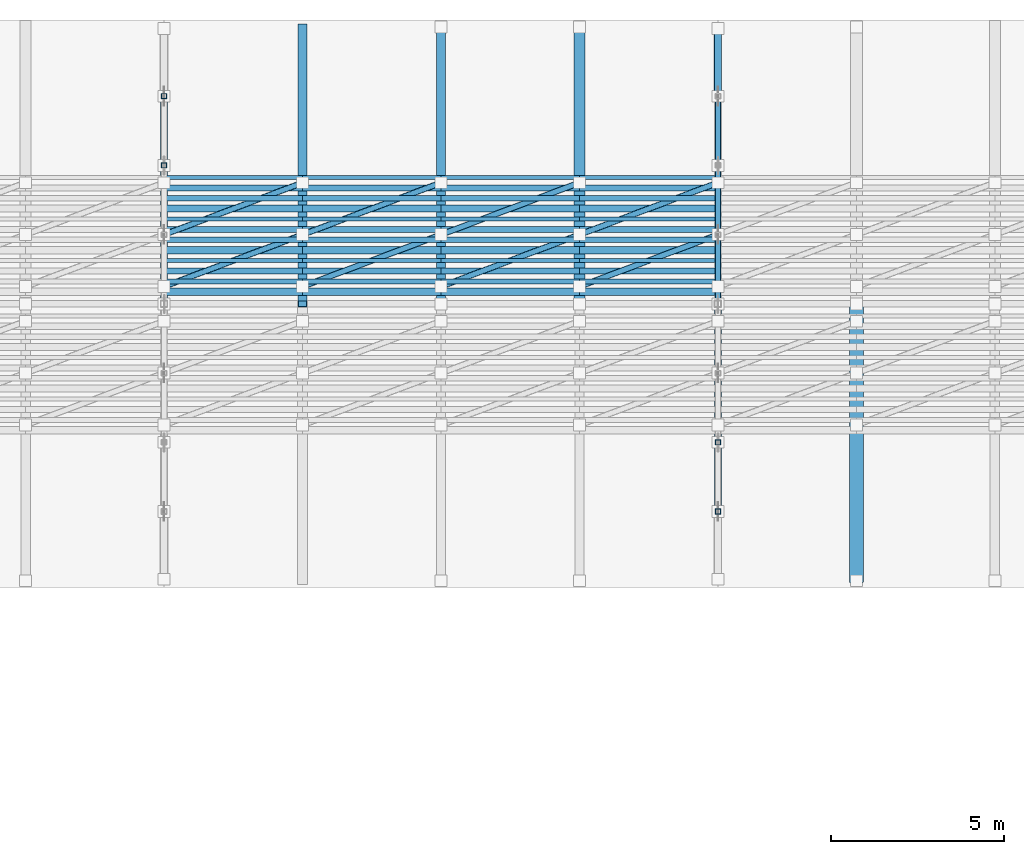
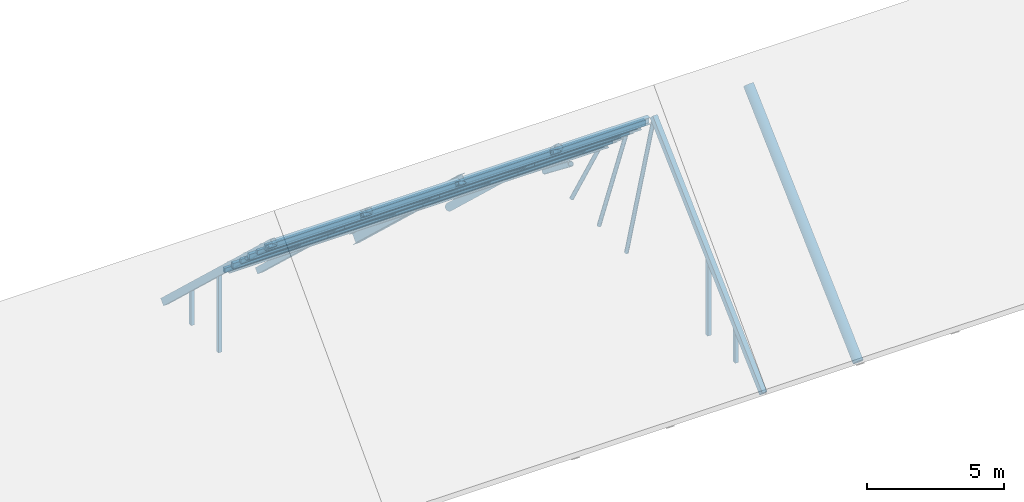
# One storey, part 11 of 18: 70 members.
"""IFC4 building model written with IfcOpenShell, lengths in metres."""

from ifc_helpers import new_model, si_unit, direction, frame, origin, origin_2d, place, context, subcontext, project, spatial, hollow_rectangle, hollow_circle, i_section, extrude, material, material_profile, profile_set, type_object, element, save


model = new_model("IFC4")

# Units and contexts
model_context = context("Model", 3, precision=1e-05, world=origin(), true_north=direction((0.0, 1.0)))
body_context = subcontext(model_context, "Body", "Model", "MODEL_VIEW")
ifc_project = project(units=[si_unit("LENGTHUNIT", "METRE"), si_unit("AREAUNIT", "SQUARE_METRE"), si_unit("VOLUMEUNIT", "CUBIC_METRE"), si_unit("PLANEANGLEUNIT", "RADIAN"), si_unit("MASSUNIT", "GRAM", prefix="KILO")], contexts=[model_context])

# Site, building, storey
site_placement = place(None, origin())
site = spatial("IfcSite", under=ifc_project, at=site_placement, CompositionType="ELEMENT")
building_placement = place(site_placement, origin())
building = spatial("IfcBuilding", under=site, at=building_placement, Name="Serraluz Foothill Cableway Terminal", CompositionType="ELEMENT")
storey_placement = place(building_placement, frame((0.0, 0.0, 24.300048828125)))
storey = spatial("IfcBuildingStorey", under=building, at=storey_placement, Name="RF", CompositionType="ELEMENT", Elevation=24.300048828125)

# Members
ifc_material_1 = material(Name="Steel ASTM A572 Grade 50", Category="steel")
ifc_material_profile_1 = material_profile(ifc_material_1, hollow_circle(Radius=0.084228515625, WallThickness=0.010009765625, at=origin_2d()), Name="CHS168X10")
ifc_profile_set_1 = profile_set([ifc_material_profile_1], Name="Steel ASTM A572 Grade 50")
member_type_1 = type_object("IfcMemberType", Name="TYP-BR-CHS168", PredefinedType="BRACE", material=ifc_profile_set_1)
member_1_placement = place(storey_placement, frame((136.0, 64.01611328125, 2.51220703125), z_axis=(0.0, 0.26797823219, -0.963424967017), x_axis=(-1.0, 0.0, 0.0)))
element("IfcMember", 1, at=member_1_placement, inside=storey, type_object=member_type_1, Name="ROOF TRUSS TR-07 Diagonal 5", PredefinedType="BRACE", context=body_context, shape_type="SweptSolid", body=[
    extrude(hollow_circle(Radius=0.084228515625, WallThickness=0.010009765625, at=origin_2d()), origin(), (0.0, 0.0, 1.0), 7.343017578125),
])
member_2_placement = place(storey_placement, frame((136.0, 66.02099609375, 0.638671875), z_axis=(0.0, 0.352230195063, -0.935913398604), x_axis=(-1.0, 0.0, 0.0)))
element("IfcMember", 2, at=member_2_placement, inside=storey, type_object=member_type_1, Name="ROOF TRUSS TR-07 Diagonal 6", PredefinedType="BRACE", context=body_context, shape_type="SweptSolid", body=[
    extrude(hollow_circle(Radius=0.084228515625, WallThickness=0.010009765625, at=origin_2d()), origin(), (0.0, 0.0, 1.0), 5.558837890625),
])
member_3_placement = place(storey_placement, frame((136.0, 68.0302734375, -1.23193359375), z_axis=(0.0, 0.502584169831, -0.864528283074), x_axis=(-1.0, 0.0, 0.0)))
element("IfcMember", 3, at=member_3_placement, inside=storey, type_object=member_type_1, Name="ROOF TRUSS TR-07 Diagonal 7", PredefinedType="BRACE", context=body_context, shape_type="SweptSolid", body=[
    extrude(hollow_circle(Radius=0.084228515625, WallThickness=0.010009765625, at=origin_2d()), origin(), (0.0, 0.0, 1.0), 3.85888671875),
])
for number, where, z_axis, x_axis, name in (
    (4, (120.0, 64.5, 2.171142578125), (0.889382269185, 0.333518350944, -0.31267345401), (-0.351123441588, 0.936329177569, 0.0), "Roof Lateral Wind Brace 0587"),
    (5, (120.0, 66.0, 0.764892578125), (0.889382269185, 0.333518350944, -0.31267345401), (-0.351123441588, 0.936329177569, 0.0), "Roof Lateral Wind Brace 0588"),
    (6, (124.0, 64.5, 2.171142578125), (0.889382269185, 0.333518350944, -0.31267345401), (-0.351123441588, 0.936329177569, 0.0), "Roof Lateral Wind Brace 0615"),
    (7, (124.0, 66.0, 0.764892578125), (0.889382269185, 0.333518350944, -0.31267345401), (-0.351123441588, 0.936329177569, 0.0), "Roof Lateral Wind Brace 0616"),
    (8, (128.0, 64.5, 2.171142578125), (0.889382269185, 0.333518350944, -0.31267345401), (-0.351123441588, 0.936329177569, 0.0), "Roof Lateral Wind Brace 0643"),
    (9, (128.0, 66.0, 0.764892578125), (0.889382269185, 0.333518350944, -0.31267345401), (-0.351123441588, 0.936329177569, 0.0), "Roof Lateral Wind Brace 0644"),
    (10, (132.0, 64.5, 2.171142578125), (0.889382269185, 0.333518350944, -0.31267345401), (-0.351123441588, 0.936329177569, 0.0), "Roof Lateral Wind Brace 0671"),
    (11, (132.0, 66.0, 0.764892578125), (0.889382269185, 0.333518350944, -0.31267345401), (-0.351123441588, 0.936329177569, 0.0), "Roof Lateral Wind Brace 0672"),
):
    element("IfcMember", number, at=place(storey_placement, frame(where, z_axis=z_axis, x_axis=x_axis)), inside=storey, type_object=member_type_1, Name=name, PredefinedType="BRACE", context=body_context, shape_type="SweptSolid", body=[
        extrude(hollow_circle(Radius=0.084228515625, WallThickness=0.010009765625, at=origin_2d()), origin(), (0.0, 0.0, 1.0), 4.49755859375),
    ])
ifc_material_profile_2 = material_profile(ifc_material_1, hollow_circle(Radius=0.109619140625, WallThickness=0.011962890625, at=origin_2d()), Name="CHS219X12")
ifc_profile_set_2 = profile_set([ifc_material_profile_2], Name="Steel ASTM A572 Grade 50")
member_type_2 = type_object("IfcMemberType", Name="TYP-BR-CHS219", PredefinedType="BRACE", material=ifc_profile_set_2)
member_4_placement = place(storey_placement, frame((136.0, 70.04736328125, -3.092041015625), z_axis=(0.0, 0.787528424659, -0.616278330265), x_axis=(-1.0, 0.0, 0.0)))
element("IfcMember", 12, at=member_4_placement, inside=storey, type_object=member_type_2, Name="ROOF TRUSS TR-07 Diagonal 8", PredefinedType="BRACE", context=body_context, shape_type="SweptSolid", body=[
    extrude(hollow_circle(Radius=0.109619140625, WallThickness=0.011962890625, at=origin_2d()), origin(), (0.0, 0.0, 1.0), 2.419189453125),
])
ifc_material_profile_3 = material_profile(ifc_material_1, hollow_rectangle(XDim=0.14990234375, YDim=0.14990234375, WallThickness=0.010009765625, at=origin_2d()), Name="HSS150X150X10")
ifc_profile_set_3 = profile_set([ifc_material_profile_3], Name="Steel ASTM A572 Grade 50")
member_type_3 = type_object("IfcMemberType", Name="TYP-BR-HSS150", PredefinedType="BRACE", material=ifc_profile_set_3)
member_5_placement = place(storey_placement, frame((120.0, 68.0, -4.610107421875), z_axis=(0.0, 0.0, 1.0), x_axis=(1.0, 0.0, 0.0)))
element("IfcMember", 13, at=member_5_placement, inside=storey, type_object=member_type_3, Name="ROOF TRUSS TR-06 Web Post 6", PredefinedType="BRACE", context=body_context, shape_type="SweptSolid", body=[
    extrude(hollow_rectangle(XDim=0.14990234375, YDim=0.14990234375, WallThickness=0.010009765625, at=origin_2d()), origin(), (0.0, 0.0, 1.0), 3.420166015625),
])
for number, where, z_axis, x_axis, name in (
    (14, (120.0, 70.0, -4.610107421875), (0.0, 0.0, 1.0), (1.0, 0.0, 0.0), "ROOF TRUSS TR-06 Web Post 7"),
    (15, (136.0, 58.0, -4.610107421875), (0.0, 0.0, 1.0), (1.0, 0.0, 0.0), "ROOF TRUSS TR-07 Web Post 1"),
):
    element("IfcMember", number, at=place(storey_placement, frame(where, z_axis=z_axis, x_axis=x_axis)), inside=storey, type_object=member_type_3, Name=name, PredefinedType="BRACE", context=body_context, shape_type="SweptSolid", body=[
        extrude(hollow_rectangle(XDim=0.14990234375, YDim=0.14990234375, WallThickness=0.010009765625, at=origin_2d()), origin(), (0.0, 0.0, 1.0), 1.545166015625),
    ])
member_6_placement = place(storey_placement, frame((136.0, 60.0, -4.610107421875), z_axis=(0.0, 0.0, 1.0), x_axis=(1.0, 0.0, 0.0)))
element("IfcMember", 16, at=member_6_placement, inside=storey, type_object=member_type_3, Name="ROOF TRUSS TR-07 Web Post 2", PredefinedType="BRACE", context=body_context, shape_type="SweptSolid", body=[
    extrude(hollow_rectangle(XDim=0.14990234375, YDim=0.14990234375, WallThickness=0.010009765625, at=origin_2d()), origin(), (0.0, 0.0, 1.0), 3.420166015625),
])
ifc_material_profile_4 = material_profile(ifc_material_1, hollow_rectangle(XDim=0.25, YDim=0.25, WallThickness=0.011962890625, at=origin_2d()), Name="HSS250X250X12")
ifc_profile_set_4 = profile_set([ifc_material_profile_4], Name="Steel ASTM A572 Grade 50")
member_type_4 = type_object("IfcMemberType", Name="TYP-CH-HSS250", PredefinedType="CHORD", material=ifc_profile_set_4)
member_7_placement = place(storey_placement, frame((124.0, 72.0, -4.800048828125), z_axis=(0.0, -0.72953720414, 0.683941128881), x_axis=(1.0, 0.0, 0.0)))
element("IfcMember", 17, at=member_7_placement, inside=storey, type_object=member_type_4, Name="Secondary Roof Rafter 0032", PredefinedType="CHORD", context=body_context, shape_type="SweptSolid", body=[
    extrude(hollow_rectangle(XDim=0.25, YDim=0.25, WallThickness=0.011962890625, at=origin_2d()), origin(), (0.0, 0.0, 1.0), 10.9658203125),
])
ifc_material_profile_5 = material_profile(ifc_material_1, hollow_rectangle(XDim=0.199951171875, YDim=0.300048828125, WallThickness=0.011962890625, at=origin_2d()), Name="HSS300X200X12")
ifc_profile_set_5 = profile_set([ifc_material_profile_5], Name="Steel ASTM A572 Grade 50")
member_type_5 = type_object("IfcMemberType", Name="TYP-CH-HSS300X200", PredefinedType="CHORD", material=ifc_profile_set_5)
for number, where, z_axis, x_axis, name in (
    (18, (120.0, 72.0, -4.800048828125), (0.0, -0.72953720414, 0.683941128881), (1.0, 0.0, 0.0), "ROOF TRUSS TR-06 Top Chord 2"),
    (19, (136.0, 56.0, -4.800048828125), (0.0, 0.72953720414, 0.683941128881), (-1.0, 0.0, 0.0), "ROOF TRUSS TR-07 Top Chord 1"),
):
    element("IfcMember", number, at=place(storey_placement, frame(where, z_axis=z_axis, x_axis=x_axis)), inside=storey, type_object=member_type_5, Name=name, PredefinedType="CHORD", context=body_context, shape_type="SweptSolid", body=[
        extrude(hollow_rectangle(XDim=0.199951171875, YDim=0.300048828125, WallThickness=0.011962890625, at=origin_2d()), origin(), (0.0, 0.0, 1.0), 10.9658203125),
    ])
ifc_material_profile_6 = material_profile(ifc_material_1, hollow_rectangle(XDim=0.1201171875, YDim=0.199951171875, WallThickness=0.008056640625, at=origin_2d()), Name="HSS200X120X8")
ifc_profile_set_6 = profile_set([ifc_material_profile_6], Name="Steel ASTM A572 Grade 50")
member_type_6 = type_object("IfcMemberType", Name="TYP-PR-HSS200X120", PredefinedType="PURLIN", material=ifc_profile_set_6)
for number, where, z_axis, x_axis, name in (
    (20, (120.0, 65.25, 1.488037109375), (1.0, 0.0, 0.0), (0.0, 1.0, 0.0), "Secondary Roof Purlin 0576"),
    (21, (120.0, 66.449951171875, 0.363037109375), (1.0, 0.0, 0.0), (0.0, 1.0, 0.0), "Secondary Roof Purlin 0580"),
    (22, (120.0, 67.64990234375, -0.761962890625), (1.0, 0.0, 0.0), (0.0, 1.0, 0.0), "Secondary Roof Purlin 0584"),
    (23, (124.0, 65.25, 1.488037109375), (1.0, 0.0, 0.0), (0.0, 1.0, 0.0), "Secondary Roof Purlin 0604"),
    (24, (124.0, 66.449951171875, 0.363037109375), (1.0, 0.0, 0.0), (0.0, 1.0, 0.0), "Secondary Roof Purlin 0608"),
    (25, (124.0, 67.64990234375, -0.761962890625), (1.0, 0.0, 0.0), (0.0, 1.0, 0.0), "Secondary Roof Purlin 0612"),
    (26, (128.0, 65.25, 1.488037109375), (1.0, 0.0, 0.0), (0.0, 1.0, 0.0), "Secondary Roof Purlin 0632"),
    (27, (128.0, 66.449951171875, 0.363037109375), (1.0, 0.0, 0.0), (0.0, 1.0, 0.0), "Secondary Roof Purlin 0636"),
    (28, (128.0, 67.64990234375, -0.761962890625), (1.0, 0.0, 0.0), (0.0, 1.0, 0.0), "Secondary Roof Purlin 0640"),
    (29, (132.0, 65.25, 1.488037109375), (1.0, 0.0, 0.0), (0.0, 1.0, 0.0), "Secondary Roof Purlin 0660"),
    (30, (132.0, 66.449951171875, 0.363037109375), (1.0, 0.0, 0.0), (0.0, 1.0, 0.0), "Secondary Roof Purlin 0664"),
    (31, (132.0, 67.64990234375, -0.761962890625), (1.0, 0.0, 0.0), (0.0, 1.0, 0.0), "Secondary Roof Purlin 0668"),
):
    element("IfcMember", number, at=place(storey_placement, frame(where, z_axis=z_axis, x_axis=x_axis)), inside=storey, type_object=member_type_6, Name=name, PredefinedType="PURLIN", context=body_context, shape_type="SweptSolid", body=[
        extrude(hollow_rectangle(XDim=0.1201171875, YDim=0.199951171875, WallThickness=0.008056640625, at=origin_2d()), origin(), (0.0, 0.0, 1.0), 4.0),
    ])
ifc_material_profile_7 = material_profile(ifc_material_1, hollow_rectangle(XDim=0.14990234375, YDim=0.25, WallThickness=0.010009765625, at=origin_2d()), Name="HSS250X150X10")
ifc_profile_set_7 = profile_set([ifc_material_profile_7], Name="Steel ASTM A572 Grade 50")
member_type_7 = type_object("IfcMemberType", Name="TYP-PR-HSS250X150", PredefinedType="PURLIN", material=ifc_profile_set_7)
for number, where, z_axis, x_axis, name in (
    (32, (120.0, 64.64990234375, 2.050537109375), (1.0, 0.0, 0.0), (0.0, 1.0, 0.0), "Secondary Roof Purlin 0574"),
    (33, (120.0, 65.85009765625, 0.925537109375), (1.0, 0.0, 0.0), (0.0, 1.0, 0.0), "Secondary Roof Purlin 0578"),
    (34, (120.0, 67.050048828125, -0.199462890625), (1.0, 0.0, 0.0), (0.0, 1.0, 0.0), "Secondary Roof Purlin 0582"),
    (35, (124.0, 64.64990234375, 2.050537109375), (1.0, 0.0, 0.0), (0.0, 1.0, 0.0), "Secondary Roof Purlin 0602"),
    (36, (124.0, 65.85009765625, 0.925537109375), (1.0, 0.0, 0.0), (0.0, 1.0, 0.0), "Secondary Roof Purlin 0606"),
    (37, (124.0, 67.050048828125, -0.199462890625), (1.0, 0.0, 0.0), (0.0, 1.0, 0.0), "Secondary Roof Purlin 0610"),
    (38, (128.0, 64.64990234375, 2.050537109375), (1.0, 0.0, 0.0), (0.0, 1.0, 0.0), "Secondary Roof Purlin 0630"),
    (39, (128.0, 65.85009765625, 0.925537109375), (1.0, 0.0, 0.0), (0.0, 1.0, 0.0), "Secondary Roof Purlin 0634"),
    (40, (128.0, 67.050048828125, -0.199462890625), (1.0, 0.0, 0.0), (0.0, 1.0, 0.0), "Secondary Roof Purlin 0638"),
    (41, (132.0, 64.64990234375, 2.050537109375), (1.0, 0.0, 0.0), (0.0, 1.0, 0.0), "Secondary Roof Purlin 0658"),
    (42, (132.0, 65.85009765625, 0.925537109375), (1.0, 0.0, 0.0), (0.0, 1.0, 0.0), "Secondary Roof Purlin 0662"),
    (43, (132.0, 67.050048828125, -0.199462890625), (1.0, 0.0, 0.0), (0.0, 1.0, 0.0), "Secondary Roof Purlin 0666"),
):
    element("IfcMember", number, at=place(storey_placement, frame(where, z_axis=z_axis, x_axis=x_axis)), inside=storey, type_object=member_type_7, Name=name, PredefinedType="PURLIN", context=body_context, shape_type="SweptSolid", body=[
        extrude(hollow_rectangle(XDim=0.14990234375, YDim=0.25, WallThickness=0.010009765625, at=origin_2d()), origin(), (0.0, 0.0, 1.0), 4.0),
    ])
ifc_material_2 = material(Name="Steel ASTM A992 Grade 50", Category="steel")
ifc_material_profile_8 = material_profile(ifc_material_2, i_section(OverallWidth=0.205078125, OverallDepth=0.31005859375, WebThickness=0.009521484375, FlangeThickness=0.016357421875, FilletRadius=0.012939453125, at=origin_2d()), Name="W12X50")
ifc_profile_set_8 = profile_set([ifc_material_profile_8], Name="Steel ASTM A992 Grade 50")
member_type_8 = type_object("IfcMemberType", Name="TYP-PR-W12X50", PredefinedType="PURLIN", material=ifc_profile_set_8)
for number, where, z_axis, x_axis, name in (
    (44, (120.0, 64.35009765625, 2.331787109375), (1.0, 0.0, 0.0), (0.0, 1.0, 0.0), "Secondary Roof Purlin 0573"),
    (45, (120.0, 65.550048828125, 1.206787109375), (1.0, 0.0, 0.0), (0.0, 1.0, 0.0), "Secondary Roof Purlin 0577"),
    (46, (120.0, 66.75, 0.081787109375), (1.0, 0.0, 0.0), (0.0, 1.0, 0.0), "Secondary Roof Purlin 0581"),
    (47, (124.0, 64.35009765625, 2.331787109375), (1.0, 0.0, 0.0), (0.0, 1.0, 0.0), "Secondary Roof Purlin 0601"),
    (48, (124.0, 65.550048828125, 1.206787109375), (1.0, 0.0, 0.0), (0.0, 1.0, 0.0), "Secondary Roof Purlin 0605"),
    (49, (124.0, 66.75, 0.081787109375), (1.0, 0.0, 0.0), (0.0, 1.0, 0.0), "Secondary Roof Purlin 0609"),
    (50, (128.0, 64.35009765625, 2.331787109375), (1.0, 0.0, 0.0), (0.0, 1.0, 0.0), "Secondary Roof Purlin 0629"),
    (51, (128.0, 65.550048828125, 1.206787109375), (1.0, 0.0, 0.0), (0.0, 1.0, 0.0), "Secondary Roof Purlin 0633"),
    (52, (128.0, 66.75, 0.081787109375), (1.0, 0.0, 0.0), (0.0, 1.0, 0.0), "Secondary Roof Purlin 0637"),
    (53, (132.0, 64.35009765625, 2.331787109375), (1.0, 0.0, 0.0), (0.0, 1.0, 0.0), "Secondary Roof Purlin 0657"),
    (54, (132.0, 65.550048828125, 1.206787109375), (1.0, 0.0, 0.0), (0.0, 1.0, 0.0), "Secondary Roof Purlin 0661"),
    (55, (132.0, 66.75, 0.081787109375), (1.0, 0.0, 0.0), (0.0, 1.0, 0.0), "Secondary Roof Purlin 0665"),
):
    element("IfcMember", number, at=place(storey_placement, frame(where, z_axis=z_axis, x_axis=x_axis)), inside=storey, type_object=member_type_8, Name=name, PredefinedType="PURLIN", context=body_context, shape_type="SweptSolid", body=[
        extrude(i_section(OverallWidth=0.205078125, OverallDepth=0.31005859375, WebThickness=0.009521484375, FlangeThickness=0.016357421875, FilletRadius=0.012939453125, at=origin_2d()), origin(), (0.0, 0.0, 1.0), 4.0),
    ])
ifc_material_profile_9 = material_profile(ifc_material_2, i_section(OverallWidth=0.180908203125, OverallDepth=0.4169921875, WebThickness=0.010986328125, FlangeThickness=0.018310546875, FilletRadius=0.013916015625, at=origin_2d()), Name="W16X57")
ifc_profile_set_9 = profile_set([ifc_material_profile_9], Name="Steel ASTM A992 Grade 50")
member_type_9 = type_object("IfcMemberType", Name="TYP-PR-W16X57", PredefinedType="PURLIN", material=ifc_profile_set_9)
for number, where, z_axis, x_axis, name in (
    (56, (120.0, 64.949951171875, 1.769287109375), (1.0, 0.0, 0.0), (0.0, 1.0, 0.0), "Secondary Roof Purlin 0575"),
    (57, (120.0, 66.14990234375, 0.644287109375), (1.0, 0.0, 0.0), (0.0, 1.0, 0.0), "Secondary Roof Purlin 0579"),
    (58, (120.0, 67.35009765625, -0.480712890625), (1.0, 0.0, 0.0), (0.0, 1.0, 0.0), "Secondary Roof Purlin 0583"),
    (59, (124.0, 64.949951171875, 1.769287109375), (1.0, 0.0, 0.0), (0.0, 1.0, 0.0), "Secondary Roof Purlin 0603"),
    (60, (124.0, 66.14990234375, 0.644287109375), (1.0, 0.0, 0.0), (0.0, 1.0, 0.0), "Secondary Roof Purlin 0607"),
    (61, (124.0, 67.35009765625, -0.480712890625), (1.0, 0.0, 0.0), (0.0, 1.0, 0.0), "Secondary Roof Purlin 0611"),
    (62, (128.0, 64.949951171875, 1.769287109375), (1.0, 0.0, 0.0), (0.0, 1.0, 0.0), "Secondary Roof Purlin 0631"),
    (63, (128.0, 66.14990234375, 0.644287109375), (1.0, 0.0, 0.0), (0.0, 1.0, 0.0), "Secondary Roof Purlin 0635"),
    (64, (128.0, 67.35009765625, -0.480712890625), (1.0, 0.0, 0.0), (0.0, 1.0, 0.0), "Secondary Roof Purlin 0639"),
    (65, (132.0, 64.949951171875, 1.769287109375), (1.0, 0.0, 0.0), (0.0, 1.0, 0.0), "Secondary Roof Purlin 0659"),
    (66, (132.0, 66.14990234375, 0.644287109375), (1.0, 0.0, 0.0), (0.0, 1.0, 0.0), "Secondary Roof Purlin 0663"),
    (67, (132.0, 67.35009765625, -0.480712890625), (1.0, 0.0, 0.0), (0.0, 1.0, 0.0), "Secondary Roof Purlin 0667"),
):
    element("IfcMember", number, at=place(storey_placement, frame(where, z_axis=z_axis, x_axis=x_axis)), inside=storey, type_object=member_type_9, Name=name, PredefinedType="PURLIN", context=body_context, shape_type="SweptSolid", body=[
        extrude(i_section(OverallWidth=0.180908203125, OverallDepth=0.4169921875, WebThickness=0.010986328125, FlangeThickness=0.018310546875, FilletRadius=0.013916015625, at=origin_2d()), origin(), (0.0, 0.0, 1.0), 4.0),
    ])
ifc_material_profile_10 = material_profile(ifc_material_1, hollow_circle(Radius=0.161865234375, WallThickness=0.01611328125, at=origin_2d()), Name="CHS324X16")
ifc_profile_set_10 = profile_set([ifc_material_profile_10], Name="Steel ASTM A572 Grade 50")
member_type_10 = type_object("IfcMemberType", Name="TYP-ST-CHS324", PredefinedType="STRUT", material=ifc_profile_set_10)
member_8_placement = place(storey_placement, frame((132.0, 72.0, -4.800048828125), z_axis=(0.0, -0.72953720414, 0.683941128881), x_axis=(1.0, 0.0, 0.0)))
element("IfcMember", 68, at=member_8_placement, inside=storey, type_object=member_type_10, Name="Secondary Roof Rafter 0036", PredefinedType="STRUT", context=body_context, shape_type="SweptSolid", body=[
    extrude(hollow_circle(Radius=0.161865234375, WallThickness=0.01611328125, at=origin_2d()), origin(), (0.0, 0.0, 1.0), 10.9658203125),
])
ifc_material_profile_11 = material_profile(ifc_material_1, hollow_circle(Radius=0.203125, WallThickness=0.01611328125, at=origin_2d()), Name="CHS406X16")
ifc_profile_set_11 = profile_set([ifc_material_profile_11], Name="Steel ASTM A572 Grade 50")
member_type_11 = type_object("IfcMemberType", Name="TYP-ST-CHS406", PredefinedType="STRUT", material=ifc_profile_set_11)
member_9_placement = place(storey_placement, frame((140.0, 56.0, -4.800048828125), z_axis=(0.0, 0.72953720414, 0.683941128881), x_axis=(-1.0, 0.0, 0.0)))
element("IfcMember", 69, at=member_9_placement, inside=storey, type_object=member_type_11, Name="Secondary Roof Rafter 0037", PredefinedType="STRUT", context=body_context, shape_type="SweptSolid", body=[
    extrude(hollow_circle(Radius=0.203125, WallThickness=0.01611328125, at=origin_2d()), origin(), (0.0, 0.0, 1.0), 10.9658203125),
])
ifc_material_profile_12 = material_profile(ifc_material_2, i_section(OverallWidth=0.260009765625, OverallDepth=0.4189453125, WebThickness=0.01171875, FlangeThickness=0.019287109375, FilletRadius=0.013916015625, at=origin_2d()), Name="W16X77")
ifc_profile_set_12 = profile_set([ifc_material_profile_12], Name="Steel ASTM A992 Grade 50")
member_type_12 = type_object("IfcMemberType", Name="TYP-ST-W16X77", PredefinedType="STRUT", material=ifc_profile_set_12)
member_10_placement = place(storey_placement, frame((128.0, 72.0, -4.800048828125), z_axis=(0.0, -0.72953720414, 0.683941128881), x_axis=(1.0, 0.0, 0.0)))
element("IfcMember", 70, at=member_10_placement, inside=storey, type_object=member_type_12, Name="Secondary Roof Rafter 0034", PredefinedType="STRUT", context=body_context, shape_type="SweptSolid", body=[
    extrude(i_section(OverallWidth=0.260009765625, OverallDepth=0.4189453125, WebThickness=0.01171875, FlangeThickness=0.019287109375, FilletRadius=0.013916015625, at=origin_2d()), origin(), (0.0, 0.0, 1.0), 10.9658203125),
])

save(model, "model.ifc")
